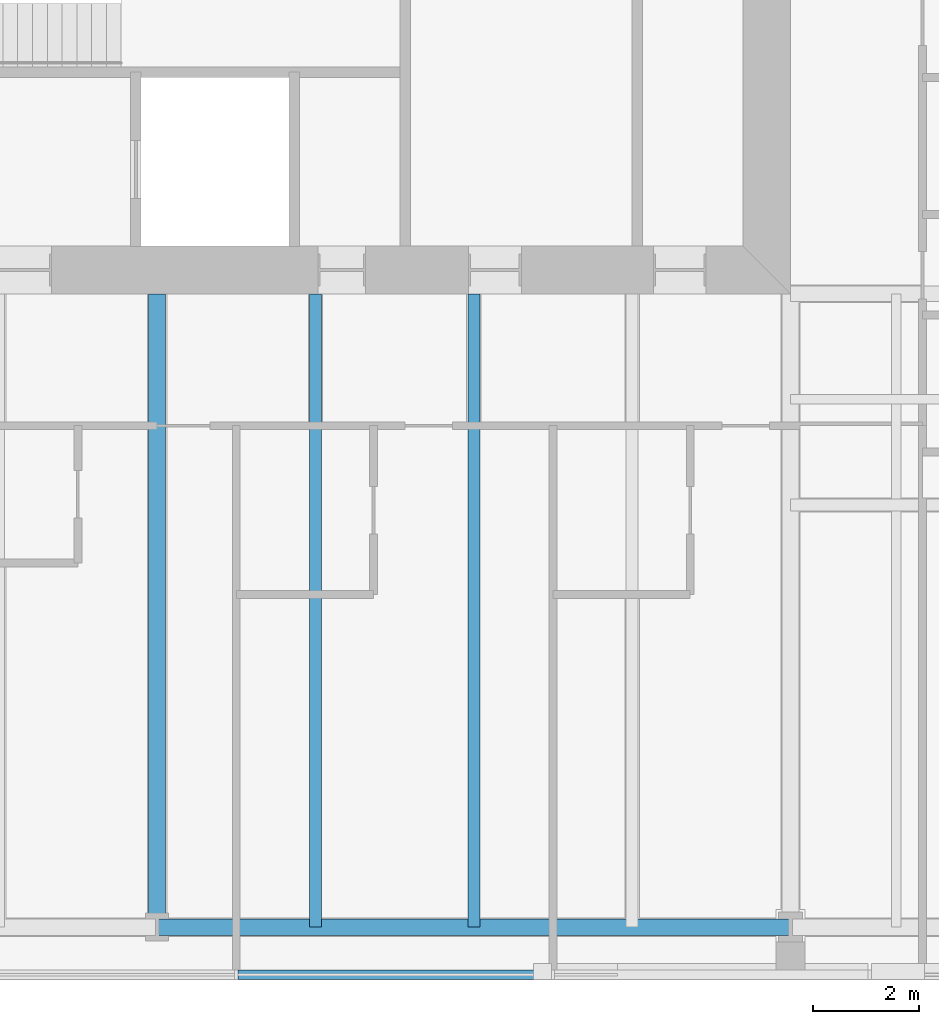
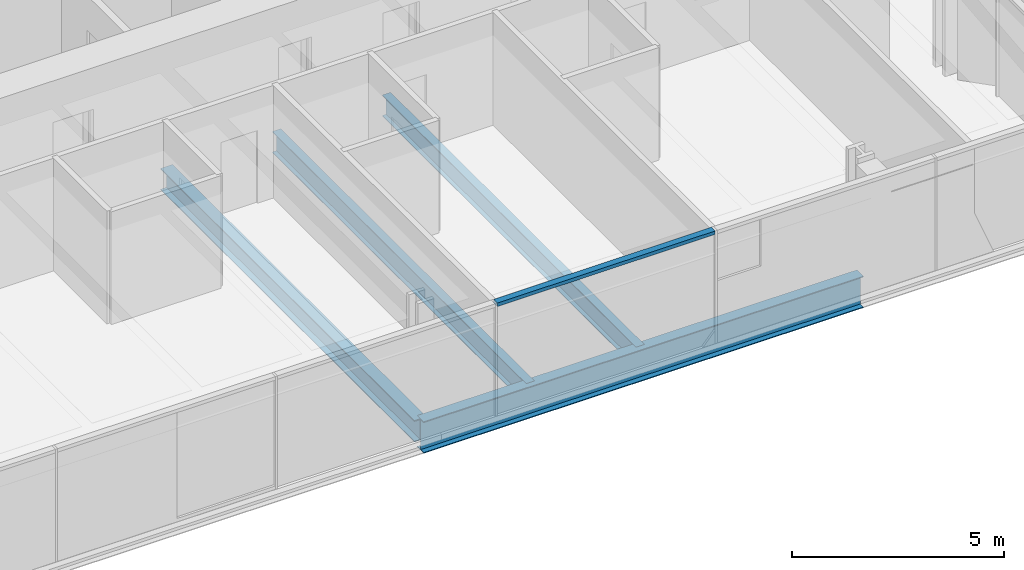
# One storey, part 3 of 18: 4 beams, 1 member, 1 element without a shape of its own.
"""IFC4 building model written with IfcOpenShell, lengths in metres."""

from ifc_helpers import new_model, si_unit, direction, frame, origin, origin_2d, place, context, subcontext, project, spatial, rectangle, i_section, extrude, material, material_profile, profile_set, type_object, element, aggregate, save


model = new_model("IFC4")

# Units and contexts
model_context = context("Model", 3, precision=1e-05, world=origin(), true_north=direction((0.0, 1.0)))
body_context = subcontext(model_context, "Body", "Model", "MODEL_VIEW")
ifc_project = project(units=[si_unit("LENGTHUNIT", "METRE"), si_unit("AREAUNIT", "SQUARE_METRE"), si_unit("VOLUMEUNIT", "CUBIC_METRE"), si_unit("PLANEANGLEUNIT", "RADIAN"), si_unit("MASSUNIT", "GRAM", prefix="KILO")], contexts=[model_context])

# Site, building, storey
site_placement = place(None, origin())
site = spatial("IfcSite", under=ifc_project, at=site_placement, CompositionType="ELEMENT")
building_placement = place(site_placement, origin())
building = spatial("IfcBuilding", under=site, at=building_placement, Name="Fenwick Lantern Interchange", CompositionType="ELEMENT")
storey_placement = place(building_placement, frame((0.0, 0.0, 266.199951171875)))
storey = spatial("IfcBuildingStorey", under=building, at=storey_placement, Name="L63", CompositionType="ELEMENT", Elevation=266.199951171875)

# Beams
ifc_material_1 = material(Name="Steel ASTM A992 Grade 50", Category="steel")
ifc_material_profile_1 = material_profile(ifc_material_1, i_section(OverallWidth=0.3046875, OverallDepth=0.911865234375, WebThickness=0.015869140625, FlangeThickness=0.02392578125, at=origin_2d()), Name="W36X150")
ifc_profile_set_1 = profile_set([ifc_material_profile_1], Name="Steel ASTM A992 Grade 50")
beam_type_1 = type_object("IfcBeamType", Name="EDGE BEAM W36X150", PredefinedType="SPANDREL", material=ifc_profile_set_1)
beam_1_placement = place(storey_placement, frame((25.0, 1.0, -0.60595703125), z_axis=(1.0, 0.0, 0.0), x_axis=(0.0, 1.0, 0.0)))
element("IfcBeam", 1, at=beam_1_placement, inside=storey, type_object=beam_type_1, Name="L63/FR/S/EB3", PredefinedType="SPANDREL", context=body_context, shape_type="SweptSolid", body=[
    extrude(i_section(OverallWidth=0.3046875, OverallDepth=0.911865234375, WebThickness=0.015869140625, FlangeThickness=0.02392578125, at=origin_2d()), origin(), (0.0, 0.0, 1.0), 12.0),
])
ifc_material_profile_2 = material_profile(ifc_material_1, i_section(OverallWidth=0.22900390625, OverallDepth=0.612060546875, WebThickness=0.011962890625, FlangeThickness=0.01953125, at=origin_2d()), Name="W24X84")
ifc_profile_set_2 = profile_set([ifc_material_profile_2], Name="Steel ASTM A992 Grade 50")
beam_type_2 = type_object("IfcBeamType", Name="FLOOR BEAM W24X84", PredefinedType="BEAM", material=ifc_profile_set_2)
for number, where, z_axis, x_axis, name in (
    (2, (28.0, 1.0, -0.4560546875), (0.0, 1.0, 0.0), (-1.0, 0.0, 0.0), "L63/FR/S/R06"),
    (3, (31.0, 1.0, -0.4560546875), (0.0, 1.0, 0.0), (-1.0, 0.0, 0.0), "L63/FR/S/R07"),
):
    element("IfcBeam", number, at=place(storey_placement, frame(where, z_axis=z_axis, x_axis=x_axis)), inside=storey, type_object=beam_type_2, Name=name, PredefinedType="BEAM", context=body_context, shape_type="SweptSolid", body=[
        extrude(i_section(OverallWidth=0.22900390625, OverallDepth=0.612060546875, WebThickness=0.011962890625, FlangeThickness=0.01953125, at=origin_2d()), origin(), (0.0, 0.0, 1.0), 12.0),
    ])

# Curtain wall, member
ifc_material_2 = material(Name="Aluminium curtain wall frame", Category="aluminium")
curtain_wall_type = type_object("IfcCurtainWallType", Name="HOTEL CURTAIN WALL", PredefinedType="USERDEFINED", material=ifc_material_2)
curtain_wall_placement = place(storey_placement, origin())
curtain_wall = element("IfcCurtainWall", 4, at=curtain_wall_placement, inside=storey, type_object=curtain_wall_type, Name="Hotel curtain wall 01", ObjectType="HOTEL CURTAIN WALL", PredefinedType="USERDEFINED")
ifc_material_3 = material(Name="Aluminium extrusion", Category="aluminium")
ifc_material_profile_3 = material_profile(ifc_material_3, rectangle(XDim=0.179931640625, YDim=0.10009765625, at=origin_2d()), Name="HOTEL CURTAIN WALL TRANSOM 100 X 180")
ifc_profile_set_3 = profile_set([ifc_material_profile_3], Name="Aluminium extrusion")
member_type = type_object("IfcMemberType", Name="HOTEL CURTAIN WALL TRANSOM 100 X 180", PredefinedType="MULLION", material=ifc_profile_set_3)
member_placement = place(storey_placement, frame((26.530029296875, 0.10009765625, 3.199951171875), z_axis=(1.0, 0.0, 0.0), x_axis=(0.0, 1.0, 0.0)))
member = element("IfcMember", 5, at=member_placement, type_object=member_type, Name="L63/CW/01/T04", PredefinedType="MULLION", context=body_context, shape_type="SweptSolid", body=[
    extrude(rectangle(XDim=0.179931640625, YDim=0.10009765625, at=origin_2d()), origin(), (0.0, 0.0, 1.0), 5.93994140625),
])
aggregate(curtain_wall, [member])

# Beam
ifc_material_profile_4 = material_profile(ifc_material_1, i_section(OverallWidth=0.32763671875, OverallDepth=0.622314453125, WebThickness=0.015380859375, FlangeThickness=0.0244140625, at=origin_2d()), Name="W24X131")
ifc_profile_set_4 = profile_set([ifc_material_profile_4], Name="Steel ASTM A992 Grade 50")
beam_type_3 = type_object("IfcBeamType", Name="MOMENT-CONNECTED GIRDER W24X131", PredefinedType="BEAM", material=ifc_profile_set_4)
beam_2_placement = place(storey_placement, frame((25.0, 1.0, -0.461181640625), z_axis=(0.0, 1.0, 0.0), x_axis=(-1.0, 0.0, 0.0)))
element("IfcBeam", 6, at=beam_2_placement, inside=storey, type_object=beam_type_3, Name="L63/FR/S/R05", PredefinedType="BEAM", context=body_context, shape_type="SweptSolid", body=[
    extrude(i_section(OverallWidth=0.32763671875, OverallDepth=0.622314453125, WebThickness=0.015380859375, FlangeThickness=0.0244140625, at=origin_2d()), origin(), (0.0, 0.0, 1.0), 12.0),
])

save(model, "model.ifc")
